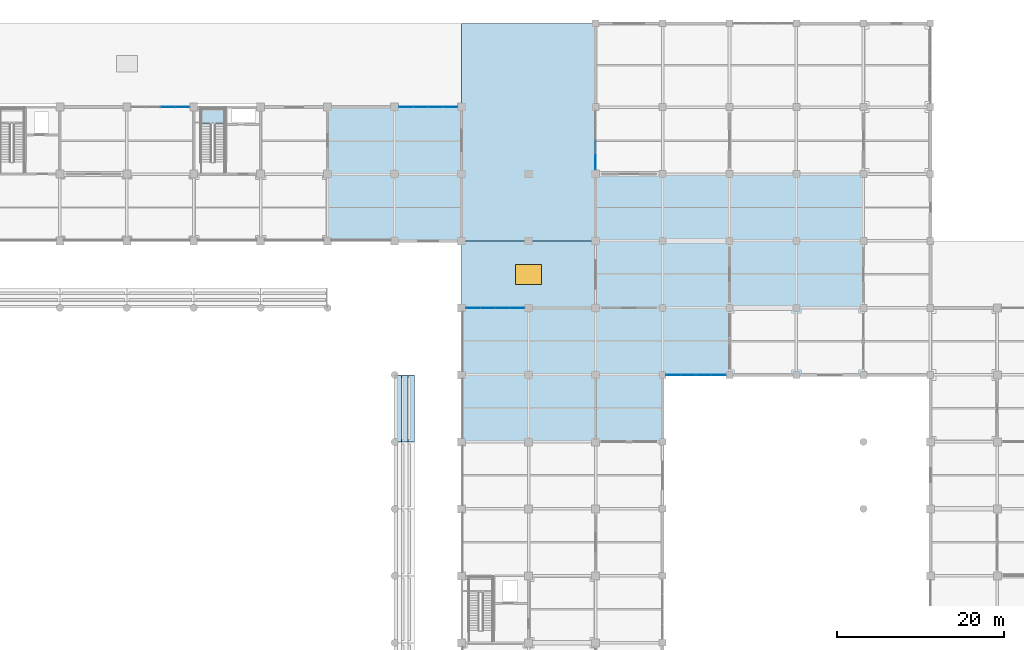
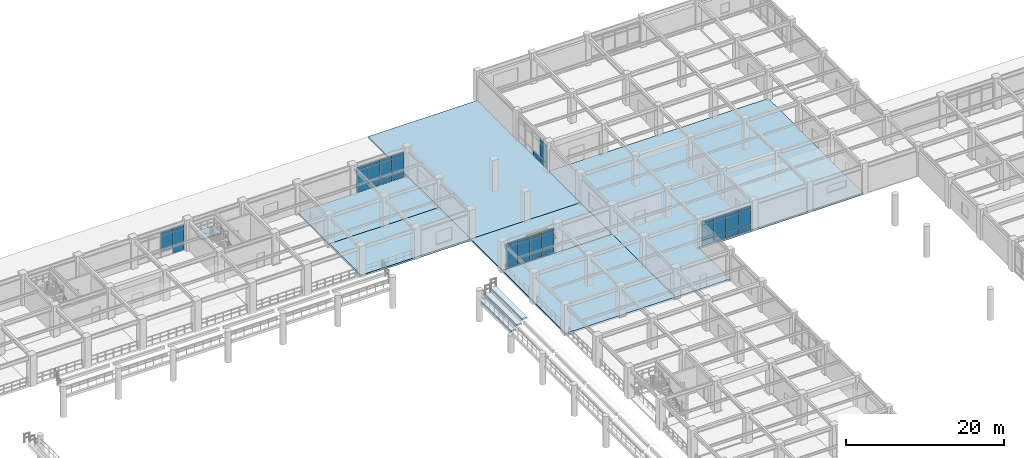
# One storey, part 65 of 109: 45 plates, 10 slabs, 1 window, 1 opening, 6 elements without a shape of their own.
"""IFC4 building model written with IfcOpenShell, lengths in metres."""

from ifc_helpers import new_model, si_unit, direction, frame, origin, origin_2d, place, context, subcontext, project, spatial, polyline, rectangle, outline, extrude, material, layer, layer_set, type_object, element, fill, aggregate, save


model = new_model("IFC4")

# Units and contexts
model_context = context("Model", 3, precision=1e-05, world=origin(), true_north=direction((0.0, 1.0)))
body_context = subcontext(model_context, "Body", "Model", "MODEL_VIEW")
ifc_project = project(units=[si_unit("LENGTHUNIT", "METRE"), si_unit("AREAUNIT", "SQUARE_METRE"), si_unit("VOLUMEUNIT", "CUBIC_METRE"), si_unit("PLANEANGLEUNIT", "RADIAN"), si_unit("MASSUNIT", "GRAM", prefix="KILO")], contexts=[model_context])

# Site, building, storey
site_placement = place(None, origin())
site = spatial("IfcSite", under=ifc_project, at=site_placement, CompositionType="ELEMENT")
building_placement = place(site_placement, origin())
building = spatial("IfcBuilding", under=site, at=building_placement, Name="Haebicheon Civic Stadium", CompositionType="ELEMENT")
storey_placement = place(building_placement, frame((0.0, 0.0, 9.60009765625)))
storey = spatial("IfcBuildingStorey", under=building, at=storey_placement, Name="L03", CompositionType="ELEMENT", Elevation=9.60009765625)

# Curtain wall, plates
ifc_material_1 = material(Name="Anodised aluminium and laminated glass", Category="aluminium")
ifc_layer_1 = layer(ifc_material_1, 0.179931640625, Name="Anodised aluminium and laminated glass")
ifc_layer_set_1 = layer_set([ifc_layer_1], Name="Anodised aluminium and laminated glass")
curtain_wall_type_1 = type_object("IfcCurtainWallType", Name="CW-7050x3930", PredefinedType="NOTDEFINED", material=ifc_layer_set_1)
curtain_wall_1_placement = place(storey_placement, origin())
curtain_wall_1 = element("IfcCurtainWall", 1, at=curtain_wall_1_placement, inside=storey, type_object=curtain_wall_type_1, material=ifc_layer_set_1, Name="L03 unitised curtain wall 081", PredefinedType="NOTDEFINED")
ifc_material_2 = material(Name="Double low-e laminated glass", Category="glass")
ifc_layer_2 = layer(ifc_material_2, 0.028076171875, Name="Double low-e laminated glass")
ifc_layer_set_2 = layer_set([ifc_layer_2], Name="Double low-e laminated glass")
plate_type_1 = type_object("IfcPlateType", Name="CWP-GLZ-28", PredefinedType="CURTAIN_PANEL", material=ifc_layer_set_2)
plate_1_placement = place(storey_placement, frame((108.882080078125, 168.0, 0.93505859375), z_axis=(0.0, 0.0, 1.0), x_axis=(1.0, 0.0, 0.0)))
plate_1 = element("IfcPlate", 2, at=plate_1_placement, type_object=plate_type_1, material=ifc_layer_set_2, Name="CW-L03-081 vision panel 3.2", PredefinedType="CURTAIN_PANEL", context=body_context, shape_type="SweptSolid", body=[
    extrude(rectangle(XDim=1.693115234375, YDim=0.028076171875, at=origin_2d()), origin(), (0.0, 0.0, 1.0), 2.409912109375),
])
plate_2_placement = place(storey_placement, frame((110.6259765625, 168.0, 0.93505859375), z_axis=(0.0, 0.0, 1.0), x_axis=(1.0, 0.0, 0.0)))
plate_2 = element("IfcPlate", 3, at=plate_2_placement, type_object=plate_type_1, material=ifc_layer_set_2, Name="CW-L03-081 vision panel 4.2", PredefinedType="CURTAIN_PANEL", context=body_context, shape_type="SweptSolid", body=[
    extrude(rectangle(XDim=1.656982421875, YDim=0.028076171875, at=origin_2d()), origin(), (0.0, 0.0, 1.0), 2.409912109375),
])

curtain_wall_2_placement = place(storey_placement, origin())
curtain_wall_2 = element("IfcCurtainWall", 4, at=curtain_wall_2_placement, inside=storey, type_object=curtain_wall_type_1, material=ifc_layer_set_1, Name="L03 unitised curtain wall 083", PredefinedType="NOTDEFINED")
plate_3_placement = place(storey_placement, frame((137.3740234375, 168.0, 0.93505859375), z_axis=(0.0, 0.0, 1.0), x_axis=(1.0, 0.0, 0.0)))
plate_3 = element("IfcPlate", 5, at=plate_3_placement, type_object=plate_type_1, material=ifc_layer_set_2, Name="CW-L03-083 vision panel 1.2", PredefinedType="CURTAIN_PANEL", context=body_context, shape_type="SweptSolid", body=[
    extrude(rectangle(XDim=1.656982421875, YDim=0.028076171875, at=origin_2d()), origin(), (0.0, 0.0, 1.0), 2.409912109375),
])
plate_4_placement = place(storey_placement, frame((139.117919921875, 168.0, 0.93505859375), z_axis=(0.0, 0.0, 1.0), x_axis=(1.0, 0.0, 0.0)))
plate_4 = element("IfcPlate", 6, at=plate_4_placement, type_object=plate_type_1, material=ifc_layer_set_2, Name="CW-L03-083 vision panel 2.2", PredefinedType="CURTAIN_PANEL", context=body_context, shape_type="SweptSolid", body=[
    extrude(rectangle(XDim=1.693115234375, YDim=0.028076171875, at=origin_2d()), origin(), (0.0, 0.0, 1.0), 2.409912109375),
])
plate_5_placement = place(storey_placement, frame((140.882080078125, 168.0, 0.93505859375), z_axis=(0.0, 0.0, 1.0), x_axis=(1.0, 0.0, 0.0)))
plate_5 = element("IfcPlate", 7, at=plate_5_placement, type_object=plate_type_1, material=ifc_layer_set_2, Name="CW-L03-083 vision panel 3.2", PredefinedType="CURTAIN_PANEL", context=body_context, shape_type="SweptSolid", body=[
    extrude(rectangle(XDim=1.693115234375, YDim=0.028076171875, at=origin_2d()), origin(), (0.0, 0.0, 1.0), 2.409912109375),
])
plate_6_placement = place(storey_placement, frame((142.6259765625, 168.0, 0.93505859375), z_axis=(0.0, 0.0, 1.0), x_axis=(1.0, 0.0, 0.0)))
plate_6 = element("IfcPlate", 8, at=plate_6_placement, type_object=plate_type_1, material=ifc_layer_set_2, Name="CW-L03-083 vision panel 4.2", PredefinedType="CURTAIN_PANEL", context=body_context, shape_type="SweptSolid", body=[
    extrude(rectangle(XDim=1.656982421875, YDim=0.028076171875, at=origin_2d()), origin(), (0.0, 0.0, 1.0), 2.409912109375),
])

ifc_material_3 = material(Name="Anodised aluminium and laminated glass", Category="aluminium")
ifc_layer_3 = layer(ifc_material_3, 0.179931640625, Name="Anodised aluminium and laminated glass")
ifc_layer_set_3 = layer_set([ifc_layer_3], Name="Anodised aluminium and laminated glass")
curtain_wall_type_2 = type_object("IfcCurtainWallType", Name="CW-7050x3770", PredefinedType="NOTDEFINED", material=ifc_layer_set_3)
curtain_wall_3_placement = place(storey_placement, origin())
curtain_wall_3 = element("IfcCurtainWall", 9, at=curtain_wall_3_placement, inside=storey, type_object=curtain_wall_type_2, material=ifc_layer_set_3, Name="L03 unitised curtain wall 084", PredefinedType="NOTDEFINED")
plate_7_placement = place(storey_placement, frame((145.3740234375, 144.0, 1.094970703125), z_axis=(0.0, 0.0, 1.0), x_axis=(1.0, 0.0, 0.0)))
plate_7 = element("IfcPlate", 10, at=plate_7_placement, type_object=plate_type_1, material=ifc_layer_set_2, Name="CW-L03-084 vision panel 1.2", PredefinedType="CURTAIN_PANEL", context=body_context, shape_type="SweptSolid", body=[
    extrude(rectangle(XDim=1.656982421875, YDim=0.028076171875, at=origin_2d()), origin(), (0.0, 0.0, 1.0), 2.25),
])
plate_8_placement = place(storey_placement, frame((147.117919921875, 144.0, 1.094970703125), z_axis=(0.0, 0.0, 1.0), x_axis=(1.0, 0.0, 0.0)))
plate_8 = element("IfcPlate", 11, at=plate_8_placement, type_object=plate_type_1, material=ifc_layer_set_2, Name="CW-L03-084 vision panel 2.2", PredefinedType="CURTAIN_PANEL", context=body_context, shape_type="SweptSolid", body=[
    extrude(rectangle(XDim=1.693115234375, YDim=0.028076171875, at=origin_2d()), origin(), (0.0, 0.0, 1.0), 2.25),
])
plate_9_placement = place(storey_placement, frame((148.882080078125, 144.0, 1.094970703125), z_axis=(0.0, 0.0, 1.0), x_axis=(1.0, 0.0, 0.0)))
plate_9 = element("IfcPlate", 12, at=plate_9_placement, type_object=plate_type_1, material=ifc_layer_set_2, Name="CW-L03-084 vision panel 3.2", PredefinedType="CURTAIN_PANEL", context=body_context, shape_type="SweptSolid", body=[
    extrude(rectangle(XDim=1.693115234375, YDim=0.028076171875, at=origin_2d()), origin(), (0.0, 0.0, 1.0), 2.25),
])
plate_10_placement = place(storey_placement, frame((150.6259765625, 144.0, 1.094970703125), z_axis=(0.0, 0.0, 1.0), x_axis=(1.0, 0.0, 0.0)))
plate_10 = element("IfcPlate", 13, at=plate_10_placement, type_object=plate_type_1, material=ifc_layer_set_2, Name="CW-L03-084 vision panel 4.2", PredefinedType="CURTAIN_PANEL", context=body_context, shape_type="SweptSolid", body=[
    extrude(rectangle(XDim=1.656982421875, YDim=0.028076171875, at=origin_2d()), origin(), (0.0, 0.0, 1.0), 2.25),
])

# Curtain wall, plate
ifc_material_4 = material(Name="Anodised aluminium and laminated glass", Category="aluminium")
ifc_layer_4 = layer(ifc_material_4, 0.179931640625, Name="Anodised aluminium and laminated glass")
ifc_layer_set_4 = layer_set([ifc_layer_4], Name="Anodised aluminium and laminated glass")
curtain_wall_type_3 = type_object("IfcCurtainWallType", Name="CW-7125x3680", PredefinedType="NOTDEFINED", material=ifc_layer_set_4)
curtain_wall_4_placement = place(storey_placement, origin())
curtain_wall_4 = element("IfcCurtainWall", 14, at=curtain_wall_4_placement, inside=storey, type_object=curtain_wall_type_3, material=ifc_layer_set_4, Name="L03 unitised curtain wall 090", PredefinedType="NOTDEFINED")
plate_11_placement = place(storey_placement, frame((160.0, 161.383056640625, 0.93505859375), z_axis=(0.0, 0.0, 1.0), x_axis=(0.0, 1.0, 0.0)))
plate_11 = element("IfcPlate", 15, at=plate_11_placement, type_object=plate_type_1, material=ifc_layer_set_2, Name="CW-L03-090 vision panel 1.2", PredefinedType="CURTAIN_PANEL", context=body_context, shape_type="SweptSolid", body=[
    extrude(rectangle(XDim=1.676025390625, YDim=0.028076171875, at=origin_2d()), origin(), (0.0, 0.0, 1.0), 2.159912109375),
])

# Curtain wall, plates
ifc_material_5 = material(Name="Anodised aluminium and laminated glass", Category="aluminium")
ifc_layer_5 = layer(ifc_material_5, 0.179931640625, Name="Anodised aluminium and laminated glass")
ifc_layer_set_5 = layer_set([ifc_layer_5], Name="Anodised aluminium and laminated glass")
curtain_wall_type_4 = type_object("IfcCurtainWallType", Name="CW-7200x3790", PredefinedType="NOTDEFINED", material=ifc_layer_set_5)
curtain_wall_5_placement = place(storey_placement, origin())
curtain_wall_5 = element("IfcCurtainWall", 16, at=curtain_wall_5_placement, inside=storey, type_object=curtain_wall_type_4, material=ifc_layer_set_5, Name="L03 unitised curtain wall 091", PredefinedType="NOTDEFINED")
plate_12_placement = place(storey_placement, frame((169.318115234375, 136.0, 0.934814453125), z_axis=(0.0, 0.0, 1.0), x_axis=(1.0, 0.0, 0.0)))
plate_12 = element("IfcPlate", 17, at=plate_12_placement, type_object=plate_type_1, material=ifc_layer_set_2, Name="CW-L03-091 vision panel 1.2", PredefinedType="CURTAIN_PANEL", context=body_context, shape_type="SweptSolid", body=[
    extrude(rectangle(XDim=1.695068359375, YDim=0.028076171875, at=origin_2d()), origin(), (0.0, 0.0, 1.0), 2.27001953125),
])
plate_13_placement = place(storey_placement, frame((171.10009765625, 136.0, 0.934814453125), z_axis=(0.0, 0.0, 1.0), x_axis=(1.0, 0.0, 0.0)))
plate_13 = element("IfcPlate", 18, at=plate_13_placement, type_object=plate_type_1, material=ifc_layer_set_2, Name="CW-L03-091 vision panel 2.2", PredefinedType="CURTAIN_PANEL", context=body_context, shape_type="SweptSolid", body=[
    extrude(rectangle(XDim=1.72998046875, YDim=0.028076171875, at=origin_2d()), origin(), (0.0, 0.0, 1.0), 2.27001953125),
])
plate_14_placement = place(storey_placement, frame((172.89990234375, 136.0, 0.934814453125), z_axis=(0.0, 0.0, 1.0), x_axis=(1.0, 0.0, 0.0)))
plate_14 = element("IfcPlate", 19, at=plate_14_placement, type_object=plate_type_1, material=ifc_layer_set_2, Name="CW-L03-091 vision panel 3.2", PredefinedType="CURTAIN_PANEL", context=body_context, shape_type="SweptSolid", body=[
    extrude(rectangle(XDim=1.72998046875, YDim=0.028076171875, at=origin_2d()), origin(), (0.0, 0.0, 1.0), 2.27001953125),
])
plate_15_placement = place(storey_placement, frame((174.681884765625, 136.0, 0.934814453125), z_axis=(0.0, 0.0, 1.0), x_axis=(1.0, 0.0, 0.0)))
plate_15 = element("IfcPlate", 20, at=plate_15_placement, type_object=plate_type_1, material=ifc_layer_set_2, Name="CW-L03-091 vision panel 4.2", PredefinedType="CURTAIN_PANEL", context=body_context, shape_type="SweptSolid", body=[
    extrude(rectangle(XDim=1.695068359375, YDim=0.028076171875, at=origin_2d()), origin(), (0.0, 0.0, 1.0), 2.27001953125),
])

# Plate
ifc_material_6 = material(Name="Anodised aluminium 6063-T6", Category="aluminium")
ifc_layer_6 = layer(ifc_material_6, 0.0439453125, Name="Anodised aluminium 6063-T6")
ifc_layer_set_6 = layer_set([ifc_layer_6], Name="Anodised aluminium 6063-T6")
plate_type_2 = type_object("IfcPlateType", Name="CWP-SPD-44", PredefinedType="CURTAIN_PANEL", material=ifc_layer_set_6)
plate_16_placement = place(storey_placement, frame((108.882080078125, 168.0, 3.414794921875), z_axis=(0.0, 0.0, 1.0), x_axis=(1.0, 0.0, 0.0)))
plate_16 = element("IfcPlate", 21, at=plate_16_placement, type_object=plate_type_2, material=ifc_layer_set_6, Name="CW-L03-081 spandrel panel 3.3", PredefinedType="CURTAIN_PANEL", context=body_context, shape_type="SweptSolid", body=[
    extrude(rectangle(XDim=1.693115234375, YDim=0.0439453125, at=origin_2d()), origin(), (0.0, 0.0, 1.0), 0.47998046875),
])

plate_17_placement = place(storey_placement, frame((110.6259765625, 168.0, 0.034912109375), z_axis=(0.0, 0.0, 1.0), x_axis=(1.0, 0.0, 0.0)))
plate_17 = element("IfcPlate", 22, at=plate_17_placement, type_object=plate_type_2, material=ifc_layer_set_6, Name="CW-L03-081 spandrel panel 4.1", PredefinedType="CURTAIN_PANEL", context=body_context, shape_type="SweptSolid", body=[
    extrude(rectangle(XDim=1.656982421875, YDim=0.0439453125, at=origin_2d()), origin(), (0.0, 0.0, 1.0), 0.830078125),
])

plate_18_placement = place(storey_placement, frame((110.6259765625, 168.0, 3.414794921875), z_axis=(0.0, 0.0, 1.0), x_axis=(1.0, 0.0, 0.0)))
plate_18 = element("IfcPlate", 23, at=plate_18_placement, type_object=plate_type_2, material=ifc_layer_set_6, Name="CW-L03-081 spandrel panel 4.3", PredefinedType="CURTAIN_PANEL", context=body_context, shape_type="SweptSolid", body=[
    extrude(rectangle(XDim=1.656982421875, YDim=0.0439453125, at=origin_2d()), origin(), (0.0, 0.0, 1.0), 0.47998046875),
])

aggregate(curtain_wall_1, [plate_1, plate_16, plate_17, plate_2, plate_18])

plate_19_placement = place(storey_placement, frame((137.3740234375, 168.0, 0.034912109375), z_axis=(0.0, 0.0, 1.0), x_axis=(1.0, 0.0, 0.0)))
plate_19 = element("IfcPlate", 24, at=plate_19_placement, type_object=plate_type_2, material=ifc_layer_set_6, Name="CW-L03-083 spandrel panel 1.1", PredefinedType="CURTAIN_PANEL", context=body_context, shape_type="SweptSolid", body=[
    extrude(rectangle(XDim=1.656982421875, YDim=0.0439453125, at=origin_2d()), origin(), (0.0, 0.0, 1.0), 0.830078125),
])

plate_20_placement = place(storey_placement, frame((137.3740234375, 168.0, 3.414794921875), z_axis=(0.0, 0.0, 1.0), x_axis=(1.0, 0.0, 0.0)))
plate_20 = element("IfcPlate", 25, at=plate_20_placement, type_object=plate_type_2, material=ifc_layer_set_6, Name="CW-L03-083 spandrel panel 1.3", PredefinedType="CURTAIN_PANEL", context=body_context, shape_type="SweptSolid", body=[
    extrude(rectangle(XDim=1.656982421875, YDim=0.0439453125, at=origin_2d()), origin(), (0.0, 0.0, 1.0), 0.47998046875),
])

plate_21_placement = place(storey_placement, frame((139.117919921875, 168.0, 0.034912109375), z_axis=(0.0, 0.0, 1.0), x_axis=(1.0, 0.0, 0.0)))
plate_21 = element("IfcPlate", 26, at=plate_21_placement, type_object=plate_type_2, material=ifc_layer_set_6, Name="CW-L03-083 spandrel panel 2.1", PredefinedType="CURTAIN_PANEL", context=body_context, shape_type="SweptSolid", body=[
    extrude(rectangle(XDim=1.693115234375, YDim=0.0439453125, at=origin_2d()), origin(), (0.0, 0.0, 1.0), 0.830078125),
])

plate_22_placement = place(storey_placement, frame((139.117919921875, 168.0, 3.414794921875), z_axis=(0.0, 0.0, 1.0), x_axis=(1.0, 0.0, 0.0)))
plate_22 = element("IfcPlate", 27, at=plate_22_placement, type_object=plate_type_2, material=ifc_layer_set_6, Name="CW-L03-083 spandrel panel 2.3", PredefinedType="CURTAIN_PANEL", context=body_context, shape_type="SweptSolid", body=[
    extrude(rectangle(XDim=1.693115234375, YDim=0.0439453125, at=origin_2d()), origin(), (0.0, 0.0, 1.0), 0.47998046875),
])

plate_23_placement = place(storey_placement, frame((140.882080078125, 168.0, 0.034912109375), z_axis=(0.0, 0.0, 1.0), x_axis=(1.0, 0.0, 0.0)))
plate_23 = element("IfcPlate", 28, at=plate_23_placement, type_object=plate_type_2, material=ifc_layer_set_6, Name="CW-L03-083 spandrel panel 3.1", PredefinedType="CURTAIN_PANEL", context=body_context, shape_type="SweptSolid", body=[
    extrude(rectangle(XDim=1.693115234375, YDim=0.0439453125, at=origin_2d()), origin(), (0.0, 0.0, 1.0), 0.830078125),
])

plate_24_placement = place(storey_placement, frame((140.882080078125, 168.0, 3.414794921875), z_axis=(0.0, 0.0, 1.0), x_axis=(1.0, 0.0, 0.0)))
plate_24 = element("IfcPlate", 29, at=plate_24_placement, type_object=plate_type_2, material=ifc_layer_set_6, Name="CW-L03-083 spandrel panel 3.3", PredefinedType="CURTAIN_PANEL", context=body_context, shape_type="SweptSolid", body=[
    extrude(rectangle(XDim=1.693115234375, YDim=0.0439453125, at=origin_2d()), origin(), (0.0, 0.0, 1.0), 0.47998046875),
])

plate_25_placement = place(storey_placement, frame((142.6259765625, 168.0, 0.034912109375), z_axis=(0.0, 0.0, 1.0), x_axis=(1.0, 0.0, 0.0)))
plate_25 = element("IfcPlate", 30, at=plate_25_placement, type_object=plate_type_2, material=ifc_layer_set_6, Name="CW-L03-083 spandrel panel 4.1", PredefinedType="CURTAIN_PANEL", context=body_context, shape_type="SweptSolid", body=[
    extrude(rectangle(XDim=1.656982421875, YDim=0.0439453125, at=origin_2d()), origin(), (0.0, 0.0, 1.0), 0.830078125),
])

plate_26_placement = place(storey_placement, frame((142.6259765625, 168.0, 3.414794921875), z_axis=(0.0, 0.0, 1.0), x_axis=(1.0, 0.0, 0.0)))
plate_26 = element("IfcPlate", 31, at=plate_26_placement, type_object=plate_type_2, material=ifc_layer_set_6, Name="CW-L03-083 spandrel panel 4.3", PredefinedType="CURTAIN_PANEL", context=body_context, shape_type="SweptSolid", body=[
    extrude(rectangle(XDim=1.656982421875, YDim=0.0439453125, at=origin_2d()), origin(), (0.0, 0.0, 1.0), 0.47998046875),
])

aggregate(curtain_wall_2, [plate_19, plate_3, plate_20, plate_21, plate_4, plate_22, plate_23, plate_5, plate_24, plate_25, plate_6, plate_26])

plate_27_placement = place(storey_placement, frame((145.3740234375, 144.0, 0.19482421875), z_axis=(0.0, 0.0, 1.0), x_axis=(1.0, 0.0, 0.0)))
plate_27 = element("IfcPlate", 32, at=plate_27_placement, type_object=plate_type_2, material=ifc_layer_set_6, Name="CW-L03-084 spandrel panel 1.1", PredefinedType="CURTAIN_PANEL", context=body_context, shape_type="SweptSolid", body=[
    extrude(rectangle(XDim=1.656982421875, YDim=0.0439453125, at=origin_2d()), origin(), (0.0, 0.0, 1.0), 0.830078125),
])

plate_28_placement = place(storey_placement, frame((145.3740234375, 144.0, 3.414794921875), z_axis=(0.0, 0.0, 1.0), x_axis=(1.0, 0.0, 0.0)))
plate_28 = element("IfcPlate", 33, at=plate_28_placement, type_object=plate_type_2, material=ifc_layer_set_6, Name="CW-L03-084 spandrel panel 1.3", PredefinedType="CURTAIN_PANEL", context=body_context, shape_type="SweptSolid", body=[
    extrude(rectangle(XDim=1.656982421875, YDim=0.0439453125, at=origin_2d()), origin(), (0.0, 0.0, 1.0), 0.47998046875),
])

plate_29_placement = place(storey_placement, frame((147.117919921875, 144.0, 0.19482421875), z_axis=(0.0, 0.0, 1.0), x_axis=(1.0, 0.0, 0.0)))
plate_29 = element("IfcPlate", 34, at=plate_29_placement, type_object=plate_type_2, material=ifc_layer_set_6, Name="CW-L03-084 spandrel panel 2.1", PredefinedType="CURTAIN_PANEL", context=body_context, shape_type="SweptSolid", body=[
    extrude(rectangle(XDim=1.693115234375, YDim=0.0439453125, at=origin_2d()), origin(), (0.0, 0.0, 1.0), 0.830078125),
])

plate_30_placement = place(storey_placement, frame((147.117919921875, 144.0, 3.414794921875), z_axis=(0.0, 0.0, 1.0), x_axis=(1.0, 0.0, 0.0)))
plate_30 = element("IfcPlate", 35, at=plate_30_placement, type_object=plate_type_2, material=ifc_layer_set_6, Name="CW-L03-084 spandrel panel 2.3", PredefinedType="CURTAIN_PANEL", context=body_context, shape_type="SweptSolid", body=[
    extrude(rectangle(XDim=1.693115234375, YDim=0.0439453125, at=origin_2d()), origin(), (0.0, 0.0, 1.0), 0.47998046875),
])

plate_31_placement = place(storey_placement, frame((148.882080078125, 144.0, 0.19482421875), z_axis=(0.0, 0.0, 1.0), x_axis=(1.0, 0.0, 0.0)))
plate_31 = element("IfcPlate", 36, at=plate_31_placement, type_object=plate_type_2, material=ifc_layer_set_6, Name="CW-L03-084 spandrel panel 3.1", PredefinedType="CURTAIN_PANEL", context=body_context, shape_type="SweptSolid", body=[
    extrude(rectangle(XDim=1.693115234375, YDim=0.0439453125, at=origin_2d()), origin(), (0.0, 0.0, 1.0), 0.830078125),
])

plate_32_placement = place(storey_placement, frame((148.882080078125, 144.0, 3.414794921875), z_axis=(0.0, 0.0, 1.0), x_axis=(1.0, 0.0, 0.0)))
plate_32 = element("IfcPlate", 37, at=plate_32_placement, type_object=plate_type_2, material=ifc_layer_set_6, Name="CW-L03-084 spandrel panel 3.3", PredefinedType="CURTAIN_PANEL", context=body_context, shape_type="SweptSolid", body=[
    extrude(rectangle(XDim=1.693115234375, YDim=0.0439453125, at=origin_2d()), origin(), (0.0, 0.0, 1.0), 0.47998046875),
])

plate_33_placement = place(storey_placement, frame((150.6259765625, 144.0, 0.19482421875), z_axis=(0.0, 0.0, 1.0), x_axis=(1.0, 0.0, 0.0)))
plate_33 = element("IfcPlate", 38, at=plate_33_placement, type_object=plate_type_2, material=ifc_layer_set_6, Name="CW-L03-084 spandrel panel 4.1", PredefinedType="CURTAIN_PANEL", context=body_context, shape_type="SweptSolid", body=[
    extrude(rectangle(XDim=1.656982421875, YDim=0.0439453125, at=origin_2d()), origin(), (0.0, 0.0, 1.0), 0.830078125),
])

plate_34_placement = place(storey_placement, frame((150.6259765625, 144.0, 3.414794921875), z_axis=(0.0, 0.0, 1.0), x_axis=(1.0, 0.0, 0.0)))
plate_34 = element("IfcPlate", 39, at=plate_34_placement, type_object=plate_type_2, material=ifc_layer_set_6, Name="CW-L03-084 spandrel panel 4.3", PredefinedType="CURTAIN_PANEL", context=body_context, shape_type="SweptSolid", body=[
    extrude(rectangle(XDim=1.656982421875, YDim=0.0439453125, at=origin_2d()), origin(), (0.0, 0.0, 1.0), 0.47998046875),
])

aggregate(curtain_wall_3, [plate_27, plate_7, plate_28, plate_29, plate_8, plate_30, plate_31, plate_9, plate_32, plate_33, plate_10, plate_34])

plate_35_placement = place(storey_placement, frame((160.0, 161.383056640625, 0.034912109375), z_axis=(0.0, 0.0, 1.0), x_axis=(0.0, 1.0, 0.0)))
plate_35 = element("IfcPlate", 40, at=plate_35_placement, type_object=plate_type_2, material=ifc_layer_set_6, Name="CW-L03-090 spandrel panel 1.1", PredefinedType="CURTAIN_PANEL", context=body_context, shape_type="SweptSolid", body=[
    extrude(rectangle(XDim=1.676025390625, YDim=0.0439453125, at=origin_2d()), origin(), (0.0, 0.0, 1.0), 0.830078125),
])

plate_36_placement = place(storey_placement, frame((160.0, 161.383056640625, 3.164794921875), z_axis=(0.0, 0.0, 1.0), x_axis=(0.0, 1.0, 0.0)))
plate_36 = element("IfcPlate", 41, at=plate_36_placement, type_object=plate_type_2, material=ifc_layer_set_6, Name="CW-L03-090 spandrel panel 1.3", PredefinedType="CURTAIN_PANEL", context=body_context, shape_type="SweptSolid", body=[
    extrude(rectangle(XDim=1.676025390625, YDim=0.0439453125, at=origin_2d()), origin(), (0.0, 0.0, 1.0), 0.47998046875),
])

plate_37_placement = place(storey_placement, frame((160.0, 163.14599609375, 0.034912109375), z_axis=(0.0, 0.0, 1.0), x_axis=(0.0, 1.0, 0.0)))
plate_37 = element("IfcPlate", 42, at=plate_37_placement, type_object=plate_type_2, material=ifc_layer_set_6, Name="CW-L03-090 spandrel panel 2.1", PredefinedType="CURTAIN_PANEL", context=body_context, shape_type="SweptSolid", body=[
    extrude(rectangle(XDim=1.7109375, YDim=0.0439453125, at=origin_2d()), origin(), (0.0, 0.0, 1.0), 0.830078125),
])

aggregate(curtain_wall_4, [plate_35, plate_11, plate_36, plate_37])

plate_38_placement = place(storey_placement, frame((169.318115234375, 136.0, 0.034912109375), z_axis=(0.0, 0.0, 1.0), x_axis=(1.0, 0.0, 0.0)))
plate_38 = element("IfcPlate", 43, at=plate_38_placement, type_object=plate_type_2, material=ifc_layer_set_6, Name="CW-L03-091 spandrel panel 1.1", PredefinedType="CURTAIN_PANEL", context=body_context, shape_type="SweptSolid", body=[
    extrude(rectangle(XDim=1.695068359375, YDim=0.0439453125, at=origin_2d()), origin(), (0.0, 0.0, 1.0), 0.830078125),
])

plate_39_placement = place(storey_placement, frame((169.318115234375, 136.0, 3.27490234375), z_axis=(0.0, 0.0, 1.0), x_axis=(1.0, 0.0, 0.0)))
plate_39 = element("IfcPlate", 44, at=plate_39_placement, type_object=plate_type_2, material=ifc_layer_set_6, Name="CW-L03-091 spandrel panel 1.3", PredefinedType="CURTAIN_PANEL", context=body_context, shape_type="SweptSolid", body=[
    extrude(rectangle(XDim=1.695068359375, YDim=0.0439453125, at=origin_2d()), origin(), (0.0, 0.0, 1.0), 0.47998046875),
])

plate_40_placement = place(storey_placement, frame((171.10009765625, 136.0, 0.034912109375), z_axis=(0.0, 0.0, 1.0), x_axis=(1.0, 0.0, 0.0)))
plate_40 = element("IfcPlate", 45, at=plate_40_placement, type_object=plate_type_2, material=ifc_layer_set_6, Name="CW-L03-091 spandrel panel 2.1", PredefinedType="CURTAIN_PANEL", context=body_context, shape_type="SweptSolid", body=[
    extrude(rectangle(XDim=1.72998046875, YDim=0.0439453125, at=origin_2d()), origin(), (0.0, 0.0, 1.0), 0.830078125),
])

plate_41_placement = place(storey_placement, frame((171.10009765625, 136.0, 3.27490234375), z_axis=(0.0, 0.0, 1.0), x_axis=(1.0, 0.0, 0.0)))
plate_41 = element("IfcPlate", 46, at=plate_41_placement, type_object=plate_type_2, material=ifc_layer_set_6, Name="CW-L03-091 spandrel panel 2.3", PredefinedType="CURTAIN_PANEL", context=body_context, shape_type="SweptSolid", body=[
    extrude(rectangle(XDim=1.72998046875, YDim=0.0439453125, at=origin_2d()), origin(), (0.0, 0.0, 1.0), 0.47998046875),
])

plate_42_placement = place(storey_placement, frame((172.89990234375, 136.0, 0.034912109375), z_axis=(0.0, 0.0, 1.0), x_axis=(1.0, 0.0, 0.0)))
plate_42 = element("IfcPlate", 47, at=plate_42_placement, type_object=plate_type_2, material=ifc_layer_set_6, Name="CW-L03-091 spandrel panel 3.1", PredefinedType="CURTAIN_PANEL", context=body_context, shape_type="SweptSolid", body=[
    extrude(rectangle(XDim=1.72998046875, YDim=0.0439453125, at=origin_2d()), origin(), (0.0, 0.0, 1.0), 0.830078125),
])

plate_43_placement = place(storey_placement, frame((172.89990234375, 136.0, 3.27490234375), z_axis=(0.0, 0.0, 1.0), x_axis=(1.0, 0.0, 0.0)))
plate_43 = element("IfcPlate", 48, at=plate_43_placement, type_object=plate_type_2, material=ifc_layer_set_6, Name="CW-L03-091 spandrel panel 3.3", PredefinedType="CURTAIN_PANEL", context=body_context, shape_type="SweptSolid", body=[
    extrude(rectangle(XDim=1.72998046875, YDim=0.0439453125, at=origin_2d()), origin(), (0.0, 0.0, 1.0), 0.47998046875),
])

plate_44_placement = place(storey_placement, frame((174.681884765625, 136.0, 0.034912109375), z_axis=(0.0, 0.0, 1.0), x_axis=(1.0, 0.0, 0.0)))
plate_44 = element("IfcPlate", 49, at=plate_44_placement, type_object=plate_type_2, material=ifc_layer_set_6, Name="CW-L03-091 spandrel panel 4.1", PredefinedType="CURTAIN_PANEL", context=body_context, shape_type="SweptSolid", body=[
    extrude(rectangle(XDim=1.695068359375, YDim=0.0439453125, at=origin_2d()), origin(), (0.0, 0.0, 1.0), 0.830078125),
])

plate_45_placement = place(storey_placement, frame((174.681884765625, 136.0, 3.27490234375), z_axis=(0.0, 0.0, 1.0), x_axis=(1.0, 0.0, 0.0)))
plate_45 = element("IfcPlate", 50, at=plate_45_placement, type_object=plate_type_2, material=ifc_layer_set_6, Name="CW-L03-091 spandrel panel 4.3", PredefinedType="CURTAIN_PANEL", context=body_context, shape_type="SweptSolid", body=[
    extrude(rectangle(XDim=1.695068359375, YDim=0.0439453125, at=origin_2d()), origin(), (0.0, 0.0, 1.0), 0.47998046875),
])

aggregate(curtain_wall_5, [plate_38, plate_12, plate_39, plate_40, plate_13, plate_41, plate_42, plate_14, plate_43, plate_44, plate_15, plate_45])

# Slabs
ifc_material_7 = material(Name="Concrete C40/50", Category="concrete")
ifc_layer_7 = layer(ifc_material_7, 0.280029296875, Name="Concrete C40/50")
ifc_layer_set_7 = layer_set([ifc_layer_7], Name="Concrete C40/50")
slab_type_1 = type_object("IfcSlabType", Name="SLB-FLR-280", PredefinedType="FLOOR", material=ifc_layer_set_7)
slab_1_placement = place(storey_placement, frame((0.0, 0.0, -0.280029296875)))
element("IfcSlab", 51, at=slab_1_placement, inside=storey, type_object=slab_type_1, material=ifc_layer_set_7, Name="L03 V2 structural slab 11.1", PredefinedType="FLOOR", context=body_context, shape_type="SweptSolid", body=[
    extrude(outline(polyline([(136.0, 160.0), (144.0, 160.0), (144.0, 152.0), (136.0, 152.0), (128.0, 152.0), (128.0, 160.0), (136.0, 160.0)])), origin(), (0.0, 0.0, 1.0), 0.280029296875),
])
slab_2_placement = place(storey_placement, frame((0.0, 0.0, -0.280029296875)))
element("IfcSlab", 52, at=slab_2_placement, inside=storey, type_object=slab_type_1, material=ifc_layer_set_7, Name="L03 V2 structural slab 11.2", PredefinedType="FLOOR", context=body_context, shape_type="SweptSolid", body=[
    extrude(outline(polyline([(144.0, 136.0), (144.0, 144.0), (152.0, 144.0), (160.0, 144.0), (160.0, 136.0), (160.0, 128.0), (152.0, 128.0), (144.0, 128.0), (144.0, 136.0)])), origin(), (0.0, 0.0, 1.0), 0.280029296875),
])
slab_3_placement = place(storey_placement, frame((0.0, 0.0, -0.280029296875)))
element("IfcSlab", 53, at=slab_3_placement, inside=storey, type_object=slab_type_1, material=ifc_layer_set_7, Name="L03 V2 structural slab 12.1", PredefinedType="FLOOR", context=body_context, shape_type="SweptSolid", body=[
    extrude(outline(polyline([(128.0, 160.0), (128.0, 168.0), (136.0, 168.0), (144.0, 168.0), (144.0, 160.0), (136.0, 160.0), (128.0, 160.0)])), origin(), (0.0, 0.0, 1.0), 0.280029296875),
])
slab_4_placement = place(storey_placement, frame((0.0, 0.0, -0.280029296875)))
element("IfcSlab", 54, at=slab_4_placement, inside=storey, type_object=slab_type_1, material=ifc_layer_set_7, Name="L03 V4 structural slab 5.1", PredefinedType="FLOOR", context=body_context, shape_type="SweptSolid", body=[
    extrude(outline(polyline([(160.0, 136.0), (160.0, 144.0), (160.0, 152.0), (160.0, 160.0), (168.0, 160.0), (176.0, 160.0), (184.0, 160.0), (192.0, 160.0), (192.0, 152.0), (192.0, 144.0), (192.0, 136.0), (184.0, 136.0), (176.0, 136.0), (168.0, 136.0), (168.0, 128.0), (160.0, 128.0), (160.0, 136.0)])), origin(), (0.0, 0.0, 1.0), 0.280029296875),
])

# Stair, slab
ifc_material_8 = material(Name="Concrete C40/50", Category="concrete")
stair_type = type_object("IfcStairType", Name="STR-DL-W126-H48", PredefinedType="HALF_TURN_STAIR", material=ifc_material_8)
stair_placement = place(storey_placement, origin())
stair = element("IfcStair", 55, at=stair_placement, inside=storey, type_object=stair_type, material=ifc_material_8, Name="L03 Escape stair ST-09", PredefinedType="HALF_TURN_STAIR")
ifc_material_9 = material(Name="Concrete C40/50", Category="concrete")
ifc_layer_8 = layer(ifc_material_9, 0.199951171875, Name="Concrete C40/50")
ifc_layer_set_8 = layer_set([ifc_layer_8], Name="Concrete C40/50")
slab_type_2 = type_object("IfcSlabType", Name="SLB-LND-200", PredefinedType="LANDING", material=ifc_layer_set_8)
slab_5_placement = place(storey_placement, frame((0.0, 0.0, 2.199951171875)))
slab_5 = element("IfcSlab", 56, at=slab_5_placement, type_object=slab_type_2, material=ifc_layer_set_8, Name="ST-09 landing 1", PredefinedType="LANDING", context=body_context, shape_type="SweptSolid", body=[
    extrude(outline(polyline([(115.739990234375, 165.949951171875), (115.739990234375, 167.840087890625), (112.840087890625, 167.840087890625), (112.840087890625, 165.949951171875), (115.739990234375, 165.949951171875)])), origin(), (0.0, 0.0, 1.0), 0.199951171875),
])
aggregate(stair, [slab_5])

# Slab
ifc_material_10 = material(Name="Concrete C40/50", Category="concrete")
ifc_layer_9 = layer(ifc_material_10, 0.18994140625, Name="Concrete C40/50")
ifc_layer_set_9 = layer_set([ifc_layer_9], Name="Concrete C40/50")
slab_type_3 = type_object("IfcSlabType", Name="SLB-ROOF-190", PredefinedType="ROOF", material=ifc_layer_set_9)
slab_6_placement = place(storey_placement, frame((0.0, 0.0, -0.190185546875)))
element("IfcSlab", 57, at=slab_6_placement, inside=storey, type_object=slab_type_3, material=ifc_layer_set_9, Name="L03 V4 roof deck slab 2", PredefinedType="ROOF", context=body_context, shape_type="SweptSolid", body=[
    extrude(outline(polyline([(144.0, 152.0), (144.0, 178.0), (160.0, 178.0), (160.0, 152.0), (144.0, 152.0)])), origin(), (0.0, 0.0, 1.0), 0.190185546875),
])

# Slab, opening, window
ifc_material_11 = material(Name="Concrete C40/50", Category="concrete")
ifc_layer_10 = layer(ifc_material_11, 0.219970703125, Name="Concrete C40/50")
ifc_layer_set_10 = layer_set([ifc_layer_10], Name="Concrete C40/50")
slab_type_4 = type_object("IfcSlabType", Name="SLB-ROOF-220", PredefinedType="ROOF", material=ifc_layer_set_10)
slab_7_placement = place(storey_placement, frame((0.0, 0.0, -0.22021484375)))
slab_7 = element("IfcSlab", 58, at=slab_7_placement, inside=storey, type_object=slab_type_4, material=ifc_layer_set_10, Name="L03 V2 roof deck slab 3", PredefinedType="ROOF", context=body_context, shape_type="SweptSolid", body=[
    extrude(outline(polyline([(160.0, 144.0), (144.0, 144.0), (144.0, 152.0), (160.0, 152.0), (160.0, 144.0)])), origin(), (0.0, 0.0, 1.0), 0.22021484375),
])
opening_placement = place(slab_7_placement, frame((152.0, 148.0, -0.010009765625)))
opening = element("IfcOpeningElement", 59, at=opening_placement, cuts=slab_7, Name="Opening SKY-310x240", PredefinedType="OPENING", context=body_context, shape_type="SweptSolid", body=[
    extrude(rectangle(XDim=3.10009765625, YDim=2.39990234375, at=origin_2d()), origin(), (0.0, 0.0, 1.0), 0.240234375),
])
ifc_material_12 = material(Name="Anodised aluminium and laminated glass", Category="aluminium")
window_type = type_object("IfcWindowType", Name="SKY-310x240", PartitioningType="SINGLE_PANEL", PredefinedType="SKYLIGHT", material=ifc_material_12)
window_placement = place(slab_7_placement, frame((152.0, 148.0, 0.170166015625)))
window = element("IfcWindow", 60, at=window_placement, inside=storey, type_object=window_type, material=ifc_material_12, Name="L03 glazed roof skylight 12", OverallHeight=2.39990234375, OverallWidth=3.10009765625, PartitioningType="SINGLE_PANEL", PredefinedType="SKYLIGHT", context=body_context, shape_type="SweptSolid", body=[
    extrude(rectangle(XDim=3.10009765625, YDim=2.39990234375, at=origin_2d()), origin(), (0.0, 0.0, 1.0), 0.050048828125),
])
fill(opening, window)

# Slabs
ifc_material_13 = material(Name="Precast concrete C40/50", Category="concrete")
ifc_layer_11 = layer(ifc_material_13, 0.239990234375, Name="Precast concrete C40/50")
ifc_layer_set_11 = layer_set([ifc_layer_11], Name="Precast concrete C40/50")
slab_type_5 = type_object("IfcSlabType", Name="SLB-TIER-240", PredefinedType="USERDEFINED", material=ifc_layer_set_11)
slab_8_placement = place(storey_placement, frame((0.0, 0.0, 2.9599609375)))
element("IfcSlab", 61, at=slab_8_placement, inside=storey, type_object=slab_type_5, material=ifc_layer_set_11, Name="TIER-E-U precast seating tier bay 11 row-band 1", ObjectType="SEATING TIER", PredefinedType="USERDEFINED", context=body_context, shape_type="SweptSolid", body=[
    extrude(outline(polyline([(136.0, 128.0), (136.800048828125, 128.0), (136.800048828125, 136.0), (136.0, 136.0), (136.0, 128.0)])), origin(), (0.0, 0.0, 1.0), 0.239990234375),
])
slab_9_placement = place(storey_placement, frame((0.0, 0.0, 3.60400390625)))
element("IfcSlab", 62, at=slab_9_placement, inside=storey, type_object=slab_type_5, material=ifc_layer_set_11, Name="TIER-E-U precast seating tier bay 11 row-band 2", ObjectType="SEATING TIER", PredefinedType="USERDEFINED", context=body_context, shape_type="SweptSolid", body=[
    extrude(outline(polyline([(136.800048828125, 128.0), (137.60009765625, 128.0), (137.60009765625, 136.0), (136.800048828125, 136.0), (136.800048828125, 128.0)])), origin(), (0.0, 0.0, 1.0), 0.239990234375),
])
slab_10_placement = place(storey_placement, frame((0.0, 0.0, 4.2490234375)))
element("IfcSlab", 63, at=slab_10_placement, inside=storey, type_object=slab_type_5, material=ifc_layer_set_11, Name="TIER-E-U precast seating tier bay 11 row-band 3", ObjectType="SEATING TIER", PredefinedType="USERDEFINED", context=body_context, shape_type="SweptSolid", body=[
    extrude(outline(polyline([(137.60009765625, 128.0), (138.39990234375, 128.0), (138.39990234375, 136.0), (137.60009765625, 136.0), (137.60009765625, 128.0)])), origin(), (0.0, 0.0, 1.0), 0.239990234375),
])

save(model, "model.ifc")
